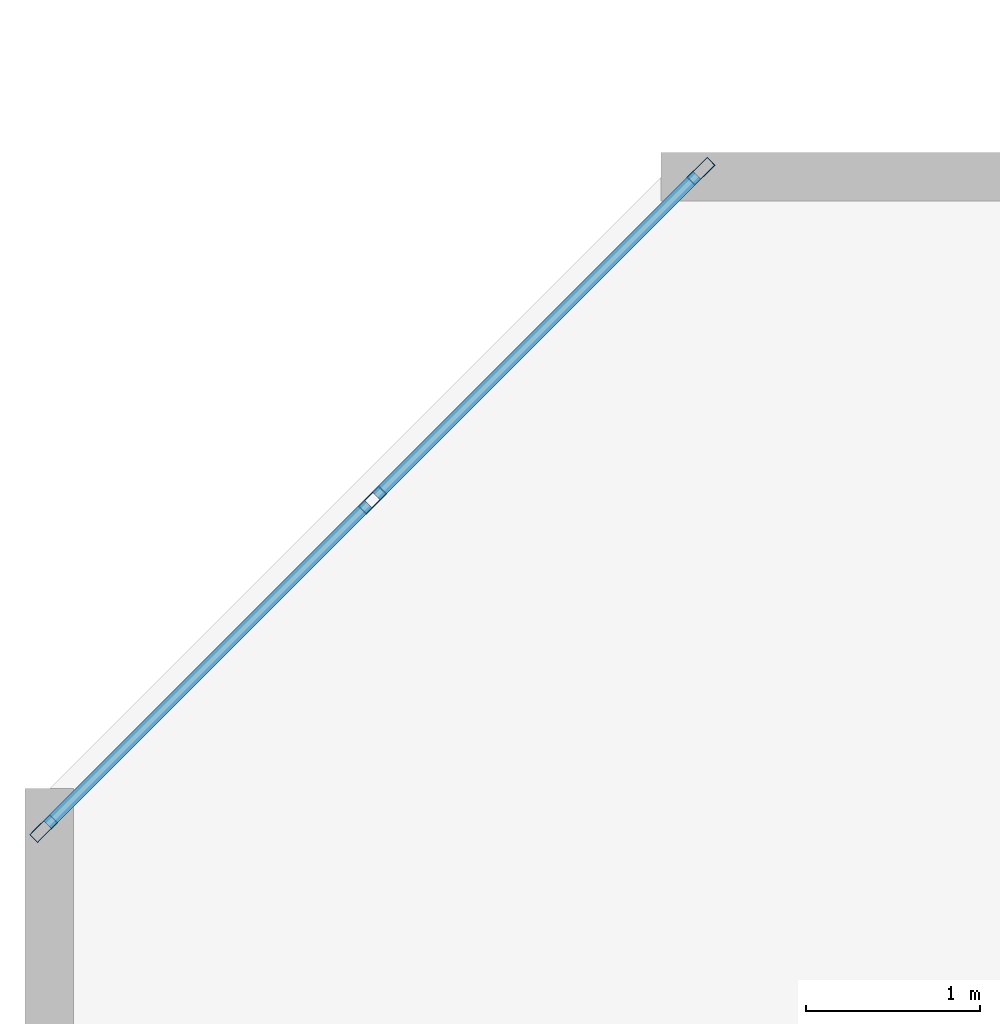
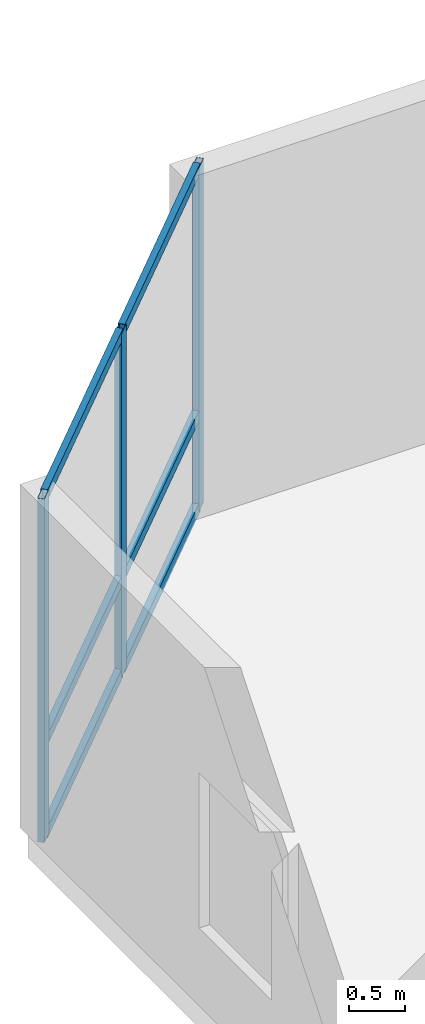
# One storey, part 2 of 10: 9 members, 1 element without a shape of its own.
"""IFC4 building model written with IfcOpenShell, lengths in metres."""

from ifc_helpers import new_model, si_unit, direction, frame, origin, origin_2d, place, context, subcontext, project, spatial, hollow_rectangle, extrude, material, layer, layer_set, material_profile, profile_set, type_object, element, aggregate, save


model = new_model("IFC4")

# Units and contexts
model_context = context("Model", 3, precision=1e-05, world=origin(), true_north=direction((0.0, 1.0)))
body_context = subcontext(model_context, "Body", "Model", "MODEL_VIEW")
ifc_project = project(units=[si_unit("LENGTHUNIT", "METRE"), si_unit("AREAUNIT", "SQUARE_METRE"), si_unit("VOLUMEUNIT", "CUBIC_METRE"), si_unit("PLANEANGLEUNIT", "RADIAN"), si_unit("MASSUNIT", "GRAM", prefix="KILO")], contexts=[model_context])

# Site, building, storey
site_placement = place(None, origin())
site = spatial("IfcSite", under=ifc_project, at=site_placement, CompositionType="ELEMENT")
building_placement = place(site_placement, origin())
building = spatial("IfcBuilding", under=site, at=building_placement, Name="Kestravale Grand Hotel", CompositionType="ELEMENT")
storey_placement = place(building_placement, frame((0.0, 0.0, 273.39990234375)))
storey = spatial("IfcBuildingStorey", under=building, at=storey_placement, Name="L68", CompositionType="ELEMENT", Elevation=273.39990234375)

# Curtain wall, members
ifc_material_1 = material(Name="Thermally broken champagne-bronze aluminium and low-E glazing", Category="aluminium")
ifc_layer = layer(ifc_material_1, 0.179931640625)
ifc_layer_set = layer_set([ifc_layer], Name="CW-Z4")
curtain_wall_type = type_object("IfcCurtainWallType", Name="CW-Z4", PredefinedType="NOTDEFINED", material=ifc_layer_set)
curtain_wall_placement = place(storey_placement, origin())
curtain_wall = element("IfcCurtainWall", 1, at=curtain_wall_placement, inside=storey, type_object=curtain_wall_type, Name="L68 unitised curtain wall 18", PredefinedType="NOTDEFINED")
ifc_material_2 = material(Name="Aluminium 6063-T6 anodised", Category="aluminium")
ifc_material_profile_1 = material_profile(ifc_material_2, hollow_rectangle(XDim=0.06494140625, YDim=0.1650390625, WallThickness=0.00341796875, at=origin_2d()))
ifc_profile_set_1 = profile_set([ifc_material_profile_1], Name="Aluminium 6063-T6 anodised")
member_type_1 = type_object("IfcMemberType", Name="CW-MUL-165", PredefinedType="MULLION", material=ifc_profile_set_1)
member_1_placement = place(storey_placement, frame((11.690185546875, 44.59228515625, 0.0), z_axis=(0.0, 0.0, 1.0), x_axis=(0.707106781187, -0.707106781187, 0.0)))
member_1 = element("IfcMember", 2, at=member_1_placement, type_object=member_type_1, Name="CW-Z4 mullion 1", PredefinedType="MULLION", context=body_context, shape_type="SweptSolid", body=[
    extrude(hollow_rectangle(XDim=0.06494140625, YDim=0.1650390625, WallThickness=0.00341796875, at=origin_2d()), origin(), (0.0, 0.0, 1.0), 3.760009765625),
])
member_2_placement = place(storey_placement, frame((9.799072265625, 42.700927734375, 0.0), z_axis=(0.0, 0.0, 1.0), x_axis=(0.707106781187, -0.707106781187, 0.0)))
member_2 = element("IfcMember", 3, at=member_2_placement, type_object=member_type_1, Name="CW-Z4 mullion 2", PredefinedType="MULLION", context=body_context, shape_type="SweptSolid", body=[
    extrude(hollow_rectangle(XDim=0.06494140625, YDim=0.1650390625, WallThickness=0.00341796875, at=origin_2d()), origin(), (0.0, 0.0, 1.0), 3.760009765625),
])
member_3_placement = place(storey_placement, frame((7.90771484375, 40.809814453125, 0.0), z_axis=(0.0, 0.0, 1.0), x_axis=(0.707106781187, -0.707106781187, 0.0)))
member_3 = element("IfcMember", 4, at=member_3_placement, type_object=member_type_1, Name="CW-Z4 mullion 3", PredefinedType="MULLION", context=body_context, shape_type="SweptSolid", body=[
    extrude(hollow_rectangle(XDim=0.06494140625, YDim=0.1650390625, WallThickness=0.00341796875, at=origin_2d()), origin(), (0.0, 0.0, 1.0), 3.760009765625),
])
ifc_material_3 = material(Name="Aluminium 6063-T6 anodised", Category="aluminium")
ifc_material_profile_2 = material_profile(ifc_material_3, hollow_rectangle(XDim=0.06494140625, YDim=0.114990234375, WallThickness=0.003173828125, at=origin_2d()))
ifc_profile_set_2 = profile_set([ifc_material_profile_2], Name="Aluminium 6063-T6 anodised")
member_type_2 = type_object("IfcMemberType", Name="CW-TRN-115", PredefinedType="USERDEFINED", material=ifc_profile_set_2)
member_4_placement = place(storey_placement, frame((11.667236328125, 44.5693359375, 0.03271484375), z_axis=(-0.707060004037, -0.707153555242, 0.0), x_axis=(0.707153555242, -0.707060004037, 0.0)))
member_4 = element("IfcMember", 5, at=member_4_placement, type_object=member_type_2, Name="CW-Z4 transom 1.1", ObjectType="TRANSOM", PredefinedType="USERDEFINED", context=body_context, shape_type="SweptSolid", body=[
    extrude(hollow_rectangle(XDim=0.06494140625, YDim=0.114990234375, WallThickness=0.003173828125, at=origin_2d()), origin(), (0.0, 0.0, 1.0), 2.609619140625),
])
member_5_placement = place(storey_placement, frame((11.667236328125, 44.5693359375, 1.050048828125), z_axis=(-0.707060004037, -0.707153555242, 0.0), x_axis=(0.707153555242, -0.707060004037, 0.0)))
member_5 = element("IfcMember", 6, at=member_5_placement, type_object=member_type_2, Name="CW-Z4 transom 1.2", ObjectType="TRANSOM", PredefinedType="USERDEFINED", context=body_context, shape_type="SweptSolid", body=[
    extrude(hollow_rectangle(XDim=0.06494140625, YDim=0.114990234375, WallThickness=0.003173828125, at=origin_2d()), origin(), (0.0, 0.0, 1.0), 2.609619140625),
])
member_6_placement = place(storey_placement, frame((11.667236328125, 44.5693359375, 3.7275390625), z_axis=(-0.707060004037, -0.707153555242, 0.0), x_axis=(0.707153555242, -0.707060004037, 0.0)))
member_6 = element("IfcMember", 7, at=member_6_placement, type_object=member_type_2, Name="CW-Z4 transom 1.3", ObjectType="TRANSOM", PredefinedType="USERDEFINED", context=body_context, shape_type="SweptSolid", body=[
    extrude(hollow_rectangle(XDim=0.06494140625, YDim=0.114990234375, WallThickness=0.003173828125, at=origin_2d()), origin(), (0.0, 0.0, 1.0), 2.609619140625),
])
member_7_placement = place(storey_placement, frame((9.776123046875, 42.677978515625, 0.03271484375), z_axis=(-0.707153555242, -0.707060004037, 0.0), x_axis=(0.707060004037, -0.707153555242, 0.0)))
member_7 = element("IfcMember", 8, at=member_7_placement, type_object=member_type_2, Name="CW-Z4 transom 2.1", ObjectType="TRANSOM", PredefinedType="USERDEFINED", context=body_context, shape_type="SweptSolid", body=[
    extrude(hollow_rectangle(XDim=0.06494140625, YDim=0.114990234375, WallThickness=0.003173828125, at=origin_2d()), origin(), (0.0, 0.0, 1.0), 2.609619140625),
])
member_8_placement = place(storey_placement, frame((9.776123046875, 42.677978515625, 1.050048828125), z_axis=(-0.707153555242, -0.707060004037, 0.0), x_axis=(0.707060004037, -0.707153555242, 0.0)))
member_8 = element("IfcMember", 9, at=member_8_placement, type_object=member_type_2, Name="CW-Z4 transom 2.2", ObjectType="TRANSOM", PredefinedType="USERDEFINED", context=body_context, shape_type="SweptSolid", body=[
    extrude(hollow_rectangle(XDim=0.06494140625, YDim=0.114990234375, WallThickness=0.003173828125, at=origin_2d()), origin(), (0.0, 0.0, 1.0), 2.609619140625),
])
member_9_placement = place(storey_placement, frame((9.776123046875, 42.677978515625, 3.7275390625), z_axis=(-0.707153555242, -0.707060004037, 0.0), x_axis=(0.707060004037, -0.707153555242, 0.0)))
member_9 = element("IfcMember", 10, at=member_9_placement, type_object=member_type_2, Name="CW-Z4 transom 2.3", ObjectType="TRANSOM", PredefinedType="USERDEFINED", context=body_context, shape_type="SweptSolid", body=[
    extrude(hollow_rectangle(XDim=0.06494140625, YDim=0.114990234375, WallThickness=0.003173828125, at=origin_2d()), origin(), (0.0, 0.0, 1.0), 2.609619140625),
])
aggregate(curtain_wall, [member_1, member_2, member_3, member_4, member_5, member_6, member_7, member_8, member_9])

save(model, "model.ifc")
